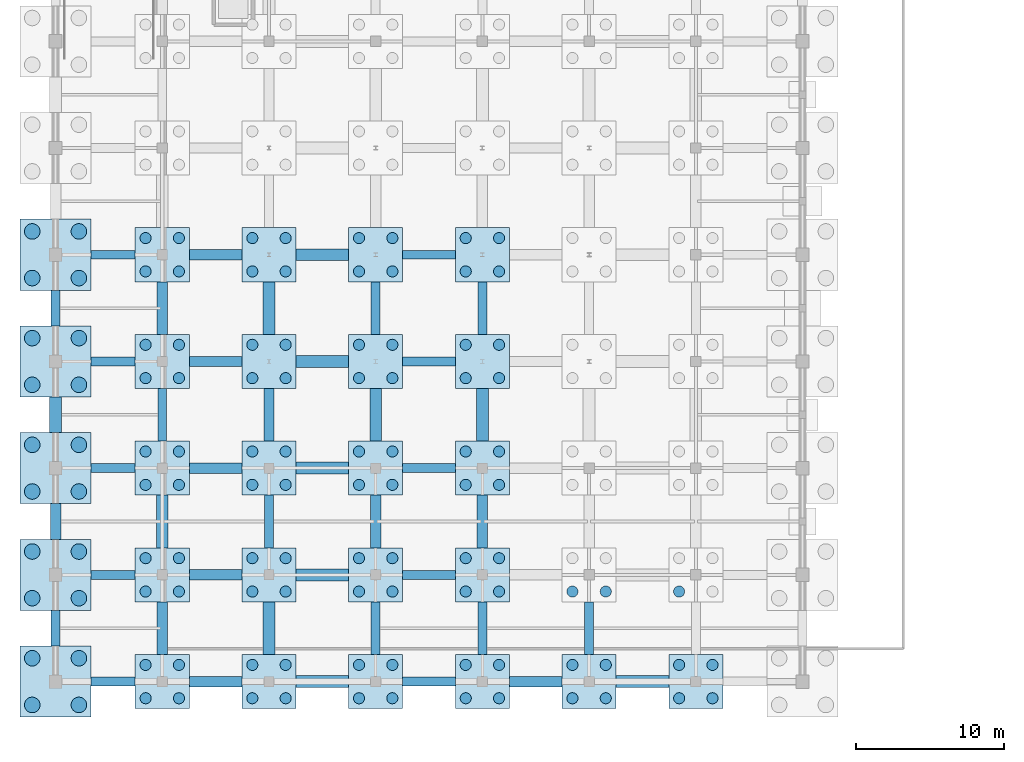
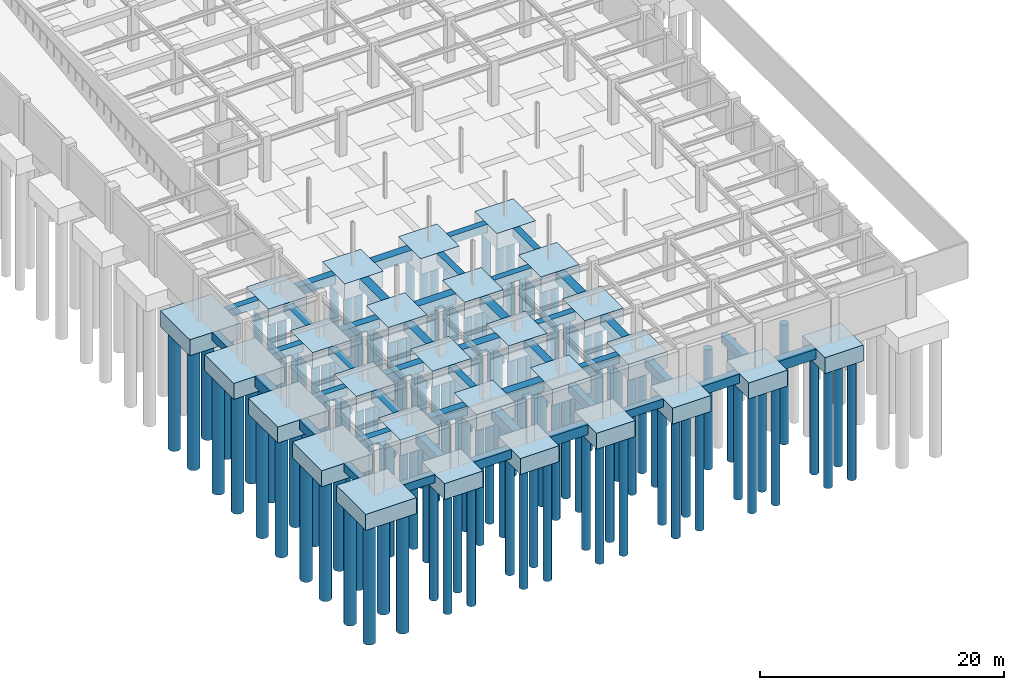
# One storey, part 1 of 48: 111 piles, 70 footings.
"""IFC4 building model written with IfcOpenShell, lengths in metres."""

import ifcopenshell
import ifcopenshell.guid

model = None  # the IFC model being written
_history = None  # IfcOwnerHistory: only IFC2X3 demands one
_inside = {}  # id of a spatial element -> (the spatial element, [elements in it])
_under = {}  # id of a project, library or spatial element -> (it, [spatial elements below it])
_declared = {}  # id of a project -> (the project, [libraries it declares])
_typed = {}  # id of a type object -> (the type object, [elements of that type])
_made_of = {}  # id of a material, layer set ... -> (it, [elements and type objects made of it])


def new_model(schema):
    """Start an empty IFC model of exactly this schema.

    Asked for "IFC4X3", IfcOpenShell would pick the latest addendum, in which some entities
    have other attributes; the version numbers below select the first issue.
    IFC2X3 requires an IfcOwnerHistory on every rooted entity: one is made here for all.
    """
    global model, _history
    if schema == "IFC4X3":
        model = ifcopenshell.file(schema_version=(4, 3, 0, 0))
    else:
        model = ifcopenshell.file(schema=schema)
    _inside.clear()
    _under.clear()
    _declared.clear()
    _typed.clear()
    _made_of.clear()
    _history = None
    if model.schema == "IFC2X3":
        org = make("IfcOrganization", Name="unknown")
        user = make(
            "IfcPersonAndOrganization",
            ThePerson=make("IfcPerson", FamilyName="unknown"),
            TheOrganization=org,
        )
        app = make(
            "IfcApplication",
            ApplicationDeveloper=org,
            Version="unknown",
            ApplicationFullName="unknown",
            ApplicationIdentifier="unknown",
        )
        _history = make(
            "IfcOwnerHistory",
            OwningUser=user,
            OwningApplication=app,
            ChangeAction="ADDED",
            CreationDate=0,
        )
    return model


def make(cls, **values):
    """One entity of the class cls with the attributes given. An attribute that is None is left unset."""
    return model.create_entity(
        cls, **{name: value for name, value in values.items() if value is not None}
    )


def rooted(cls, **values):
    """An entity with a GlobalId (a new one), such as an element, a storey or a relation."""
    return make(cls, GlobalId=ifcopenshell.guid.new(), OwnerHistory=_history, **values)


def si_unit(unit_type, name, prefix=None):
    """IfcSIUnit, for example si_unit("LENGTHUNIT", "METRE", prefix="MILLI")."""
    return make("IfcSIUnit", UnitType=unit_type, Prefix=prefix, Name=name)


def assignment(units):
    """IfcUnitAssignment: the units of a project."""
    return None if units is None else make("IfcUnitAssignment", Units=units)


def point(xyz):
    """IfcCartesianPoint."""
    return None if xyz is None else make("IfcCartesianPoint", Coordinates=xyz)


def direction(xyz):
    """IfcDirection."""
    return None if xyz is None else make("IfcDirection", DirectionRatios=xyz)


def frame(location, z_axis=None, x_axis=None):
    """IfcAxis2Placement3D, a coordinate frame: its origin and axes. An axis left out is left unset."""
    return make(
        "IfcAxis2Placement3D",
        Location=point(location),
        Axis=direction(z_axis),
        RefDirection=direction(x_axis),
    )


def frame_2d(location, x_axis=None):
    """IfcAxis2Placement2D, a coordinate frame in the plane: its origin and x axis."""
    return make(
        "IfcAxis2Placement2D", Location=point(location), RefDirection=direction(x_axis)
    )


def origin():
    """The frame at (0, 0, 0) with its axes left unset."""
    return frame((0.0, 0.0, 0.0))


def origin_2d():
    """The frame at (0, 0) in the plane with its x axis left unset."""
    return frame_2d((0.0, 0.0))


def place(relative_to, where):
    """IfcLocalPlacement: puts the frame where relative to a parent placement (None: the world)."""
    return make(
        "IfcLocalPlacement", PlacementRelTo=relative_to, RelativePlacement=where
    )


def context(
    kind, dimensions, precision=None, world=None, true_north=None, identifier=None
):
    """IfcGeometricRepresentationContext, for example the 3D "Model" context."""
    return make(
        "IfcGeometricRepresentationContext",
        ContextIdentifier=identifier,
        ContextType=kind,
        CoordinateSpaceDimension=dimensions,
        Precision=precision,
        WorldCoordinateSystem=world,
        TrueNorth=true_north,
    )


def subcontext(parent, identifier, kind, view, scale=None):
    """IfcGeometricRepresentationSubContext, for example "Body" below "Model"."""
    return make(
        "IfcGeometricRepresentationSubContext",
        ContextIdentifier=identifier,
        ContextType=kind,
        ParentContext=parent,
        TargetScale=scale,
        TargetView=view,
    )


def project(units=None, contexts=None):
    """IfcProject with its units and contexts."""
    return rooted(
        "IfcProject",
        Name="project",
        RepresentationContexts=contexts,
        UnitsInContext=assignment(units),
    )


def spatial(cls, under=None, at=None, **own):
    """A site, building, storey or space (cls), placed at a placement, below another one or the project."""
    s = rooted(cls, ObjectPlacement=at, **own)
    if under is not None:
        _under.setdefault(under.id(), (under, []))[1].append(s)
    return s


def profile(cls, at=None, kind="AREA", **sizes):
    """A parametric profile (cls). Its sizes go by their IFC names, for example OverallWidth=200.0."""
    return make(cls, ProfileType=kind, Position=at, **sizes)


def rectangle(**sizes):
    """IfcRectangleProfileDef."""
    return profile("IfcRectangleProfileDef", **sizes)


def circle(**sizes):
    """IfcCircleProfileDef."""
    return profile("IfcCircleProfileDef", **sizes)


def extrude(swept, where, along, depth):
    """IfcExtrudedAreaSolid: the profile swept, set in the frame where, extruded along a direction by depth."""
    return make(
        "IfcExtrudedAreaSolid",
        SweptArea=swept,
        Position=where,
        ExtrudedDirection=direction(along),
        Depth=depth,
    )


def shape(context_of_items, identifier, shape_type, items):
    """IfcShapeRepresentation: the items that make up one representation, for example the "Body"."""
    return make(
        "IfcShapeRepresentation",
        ContextOfItems=context_of_items,
        RepresentationIdentifier=identifier,
        RepresentationType=shape_type,
        Items=items,
    )


def material(Name=None, Category=None):
    """IfcMaterial."""
    return make("IfcMaterial", Name=Name, Category=Category)


def material_profile(
    of_material, cross_section, Name=None, Category=None, Priority=None
):
    """IfcMaterialProfile: a cross section and its material."""
    return make(
        "IfcMaterialProfile",
        Name=Name,
        Material=of_material,
        Profile=cross_section,
        Priority=Priority,
        Category=Category,
    )


def profile_set(profiles, Name=None, composite=None):
    """IfcMaterialProfileSet."""
    return make(
        "IfcMaterialProfileSet",
        Name=Name,
        MaterialProfiles=profiles,
        CompositeProfile=composite,
    )


def made_of(thing, what):
    """Note that an element or type object is made of a material, layer set ...; save() writes the relation."""
    if what is not None:
        _made_of.setdefault(what.id(), (what, []))[1].append(thing)
    return thing


def type_object(cls, material=None, **own):
    """A type object (cls), such as IfcWallType, which elements share."""
    return made_of(rooted(cls, **own), material)


def element(
    cls,
    number,
    at=None,
    inside=None,
    cuts=None,
    type_object=None,
    material=None,
    context=None,
    identifier="Body",
    shape_type=None,
    held_by="IfcProductDefinitionShape",
    body=None,
    shapes=None,
    **own,
):
    """One element of the class cls, such as IfcWall. Its Tag is "e" and its number.

    at: its placement. inside: the storey or other place that contains it. cuts: it is an
    opening in that element (IfcRelVoidsElement). A single representation is given by context,
    identifier, shape_type and body (its items); several are given by shapes. held_by: the class
    of the entity that holds the representations. save() writes the other relations.
    """
    e = rooted(cls, Tag="e%d" % number, ObjectPlacement=at, **own)
    if body is not None:
        shapes = [shape(context, identifier, shape_type, body)]
    if shapes is not None:
        e.Representation = make(held_by, Representations=shapes)
    if inside is not None:
        _inside.setdefault(inside.id(), (inside, []))[1].append(e)
    if cuts is not None:
        rooted(
            "IfcRelVoidsElement", RelatingBuildingElement=cuts, RelatedOpeningElement=e
        )
    if type_object is not None:
        _typed.setdefault(type_object.id(), (type_object, []))[1].append(e)
    return made_of(e, material)


def aggregate(whole, parts):
    """IfcRelAggregates: a whole, such as a stair, and the parts it consists of."""
    return rooted("IfcRelAggregates", RelatingObject=whole, RelatedObjects=parts)


def save(model, path):
    """Write the relations noted so far, then the file.

    IfcRelAggregates (storeys below a building ...), IfcRelContainedInSpatialStructure (elements
    in a storey), IfcRelDefinesByType, IfcRelAssociatesMaterial and IfcRelDeclares: one each for
    every whole, place, type object, material and project.
    """
    for whole, parts in _under.values():
        aggregate(whole, parts)
    for where, things in _inside.values():
        rooted(
            "IfcRelContainedInSpatialStructure",
            RelatedElements=things,
            RelatingStructure=where,
        )
    for kind, things in _typed.values():
        rooted("IfcRelDefinesByType", RelatedObjects=things, RelatingType=kind)
    for what, things in _made_of.values():
        rooted("IfcRelAssociatesMaterial", RelatedObjects=things, RelatingMaterial=what)
    for by, libraries in _declared.values():
        rooted("IfcRelDeclares", RelatingContext=by, RelatedDefinitions=libraries)
    model.write(path)


model = new_model("IFC4")

# Units and contexts
model_context = context("Model", 3, precision=1e-05, world=origin(), true_north=direction((0.0, 1.0)))
body_context = subcontext(model_context, "Body", "Model", "MODEL_VIEW")
ifc_project = project(units=[si_unit("LENGTHUNIT", "METRE"), si_unit("AREAUNIT", "SQUARE_METRE"), si_unit("VOLUMEUNIT", "CUBIC_METRE"), si_unit("PLANEANGLEUNIT", "RADIAN"), si_unit("MASSUNIT", "GRAM", prefix="KILO")], contexts=[model_context])

# Site, building, storey
site_placement = place(None, origin())
site = spatial("IfcSite", under=ifc_project, at=site_placement, CompositionType="ELEMENT")
building_placement = place(site_placement, origin())
building = spatial("IfcBuilding", under=site, at=building_placement, Name="Carrowvane Square Congress Hotel", CompositionType="ELEMENT")
storey_placement = place(building_placement, frame((0.0, 0.0, -4.5)))
storey = spatial("IfcBuildingStorey", under=building, at=storey_placement, Name="B01", CompositionType="ELEMENT", Elevation=-4.5)

# Footings
ifc_material_1 = material(Name="Concrete C35/45", Category="concrete")
ifc_material_profile_1 = material_profile(ifc_material_1, rectangle(XDim=0.60009765625, YDim=0.800048828125, at=origin_2d()), Name="RC 600x800")
ifc_profile_set_1 = profile_set([ifc_material_profile_1], Name="Concrete C35/45")
footing_type_1 = type_object("IfcFootingType", Name="FTG-BM-600x800", PredefinedType="FOOTING_BEAM", material=ifc_profile_set_1)
footing_1_placement = place(storey_placement, frame((11.60009765625, 7.800048828125, -0.39990234375), z_axis=(0.0, 1.0, 0.0), x_axis=(-1.0, 0.0, 0.0)))
element("IfcFooting", 1, at=footing_1_placement, inside=storey, type_object=footing_type_1, Name="Ground tie beam 1", PredefinedType="FOOTING_BEAM", context=body_context, shape_type="SweptSolid", body=[
    extrude(rectangle(XDim=0.60009765625, YDim=0.800048828125, at=origin_2d()), origin(), (0.0, 0.0, 1.0), 2.39990234375),
])
footing_2_placement = place(storey_placement, frame((11.60009765625, 29.39990234375, -0.39990234375), z_axis=(0.0, 1.0, 0.0), x_axis=(-1.0, 0.0, 0.0)))
element("IfcFooting", 2, at=footing_2_placement, inside=storey, type_object=footing_type_1, Name="Ground tie beam 4", PredefinedType="FOOTING_BEAM", context=body_context, shape_type="SweptSolid", body=[
    extrude(rectangle(XDim=0.60009765625, YDim=0.800048828125, at=origin_2d()), origin(), (0.0, 0.0, 1.0), 2.400146484375),
])
for number, where, z_axis, x_axis, name in (
    (3, (18.800048828125, 21.625, -0.39990234375), (0.0, 1.0, 0.0), (-1.0, 0.0, 0.0), "Ground tie beam 15"),
    (4, (26.0, 14.425048828125, -0.39990234375), (0.0, 1.0, 0.0), (-1.0, 0.0, 0.0), "Ground tie beam 26"),
):
    element("IfcFooting", number, at=place(storey_placement, frame(where, z_axis=z_axis, x_axis=x_axis)), inside=storey, type_object=footing_type_1, Name=name, PredefinedType="FOOTING_BEAM", context=body_context, shape_type="SweptSolid", body=[
        extrude(rectangle(XDim=0.60009765625, YDim=0.800048828125, at=origin_2d()), origin(), (0.0, 0.0, 1.0), 3.550048828125),
    ])
footing_3_placement = place(storey_placement, frame((33.199951171875, 7.22509765625, -0.39990234375), z_axis=(0.0, 1.0, 0.0), x_axis=(-1.0, 0.0, 0.0)))
element("IfcFooting", 5, at=footing_3_placement, inside=storey, type_object=footing_type_1, Name="Ground tie beam 37", PredefinedType="FOOTING_BEAM", context=body_context, shape_type="SweptSolid", body=[
    extrude(rectangle(XDim=0.60009765625, YDim=0.800048828125, at=origin_2d()), origin(), (0.0, 0.0, 1.0), 3.5498046875),
])
footing_4_placement = place(storey_placement, frame((33.199951171875, 28.824951171875, -0.39990234375), z_axis=(0.0, 1.0, 0.0), x_axis=(-1.0, 0.0, 0.0)))
element("IfcFooting", 6, at=footing_4_placement, inside=storey, type_object=footing_type_1, Name="Ground tie beam 40", PredefinedType="FOOTING_BEAM", context=body_context, shape_type="SweptSolid", body=[
    extrude(rectangle(XDim=0.60009765625, YDim=0.800048828125, at=origin_2d()), origin(), (0.0, 0.0, 1.0), 3.550048828125),
])
footing_5_placement = place(storey_placement, frame((40.39990234375, 7.22509765625, -0.39990234375), z_axis=(0.0, 1.0, 0.0), x_axis=(-1.0, 0.0, 0.0)))
element("IfcFooting", 7, at=footing_5_placement, inside=storey, type_object=footing_type_1, Name="Ground tie beam 51", PredefinedType="FOOTING_BEAM", context=body_context, shape_type="SweptSolid", body=[
    extrude(rectangle(XDim=0.60009765625, YDim=0.800048828125, at=origin_2d()), origin(), (0.0, 0.0, 1.0), 3.5498046875),
])
footing_6_placement = place(storey_placement, frame((40.39990234375, 28.824951171875, -0.39990234375), z_axis=(0.0, 1.0, 0.0), x_axis=(-1.0, 0.0, 0.0)))
element("IfcFooting", 8, at=footing_6_placement, inside=storey, type_object=footing_type_1, Name="Ground tie beam 54", PredefinedType="FOOTING_BEAM", context=body_context, shape_type="SweptSolid", body=[
    extrude(rectangle(XDim=0.60009765625, YDim=0.800048828125, at=origin_2d()), origin(), (0.0, 0.0, 1.0), 3.550048828125),
])
footing_7_placement = place(storey_placement, frame((47.60009765625, 7.22509765625, -0.39990234375), z_axis=(0.0, 1.0, 0.0), x_axis=(-1.0, 0.0, 0.0)))
element("IfcFooting", 9, at=footing_7_placement, inside=storey, type_object=footing_type_1, Name="Ground tie beam 65", PredefinedType="FOOTING_BEAM", context=body_context, shape_type="SweptSolid", body=[
    extrude(rectangle(XDim=0.60009765625, YDim=0.800048828125, at=origin_2d()), origin(), (0.0, 0.0, 1.0), 3.5498046875),
])
footing_8_placement = place(storey_placement, frame((14.0, 5.39990234375, -0.39990234375), z_axis=(1.0, 0.0, 0.0), x_axis=(0.0, 1.0, 0.0)))
element("IfcFooting", 10, at=footing_8_placement, inside=storey, type_object=footing_type_1, Name="Ground tie beam 244", PredefinedType="FOOTING_BEAM", context=body_context, shape_type="SweptSolid", body=[
    extrude(rectangle(XDim=0.60009765625, YDim=0.800048828125, at=origin_2d()), origin(), (0.0, 0.0, 1.0), 2.97509765625),
])
footing_9_placement = place(storey_placement, frame((35.02490234375, 5.39990234375, -0.39990234375), z_axis=(1.0, 0.0, 0.0), x_axis=(0.0, 1.0, 0.0)))
element("IfcFooting", 11, at=footing_9_placement, inside=storey, type_object=footing_type_1, Name="Ground tie beam 247", PredefinedType="FOOTING_BEAM", context=body_context, shape_type="SweptSolid", body=[
    extrude(rectangle(XDim=0.60009765625, YDim=0.800048828125, at=origin_2d()), origin(), (0.0, 0.0, 1.0), 3.550048828125),
])
footing_10_placement = place(storey_placement, frame((14.0, 12.60009765625, -0.39990234375), z_axis=(1.0, 0.0, 0.0), x_axis=(0.0, 1.0, 0.0)))
element("IfcFooting", 12, at=footing_10_placement, inside=storey, type_object=footing_type_1, Name="Ground tie beam 258", PredefinedType="FOOTING_BEAM", context=body_context, shape_type="SweptSolid", body=[
    extrude(rectangle(XDim=0.60009765625, YDim=0.800048828125, at=origin_2d()), origin(), (0.0, 0.0, 1.0), 2.97509765625),
])
footing_11_placement = place(storey_placement, frame((35.02490234375, 12.60009765625, -0.39990234375), z_axis=(1.0, 0.0, 0.0), x_axis=(0.0, 1.0, 0.0)))
element("IfcFooting", 13, at=footing_11_placement, inside=storey, type_object=footing_type_1, Name="Ground tie beam 261", PredefinedType="FOOTING_BEAM", context=body_context, shape_type="SweptSolid", body=[
    extrude(rectangle(XDim=0.60009765625, YDim=0.800048828125, at=origin_2d()), origin(), (0.0, 0.0, 1.0), 3.550048828125),
])
footing_12_placement = place(storey_placement, frame((14.0, 19.800048828125, -0.39990234375), z_axis=(1.0, 0.0, 0.0), x_axis=(0.0, 1.0, 0.0)))
element("IfcFooting", 14, at=footing_12_placement, inside=storey, type_object=footing_type_1, Name="Ground tie beam 272", PredefinedType="FOOTING_BEAM", context=body_context, shape_type="SweptSolid", body=[
    extrude(rectangle(XDim=0.60009765625, YDim=0.800048828125, at=origin_2d()), origin(), (0.0, 0.0, 1.0), 2.97509765625),
])
footing_13_placement = place(storey_placement, frame((35.02490234375, 19.800048828125, -0.39990234375), z_axis=(1.0, 0.0, 0.0), x_axis=(0.0, 1.0, 0.0)))
element("IfcFooting", 15, at=footing_13_placement, inside=storey, type_object=footing_type_1, Name="Ground tie beam 275", PredefinedType="FOOTING_BEAM", context=body_context, shape_type="SweptSolid", body=[
    extrude(rectangle(XDim=0.60009765625, YDim=0.800048828125, at=origin_2d()), origin(), (0.0, 0.0, 1.0), 3.550048828125),
])
footing_14_placement = place(storey_placement, frame((14.0, 27.0, -0.39990234375), z_axis=(1.0, 0.0, 0.0), x_axis=(0.0, 1.0, 0.0)))
element("IfcFooting", 16, at=footing_14_placement, inside=storey, type_object=footing_type_1, Name="Ground tie beam 286", PredefinedType="FOOTING_BEAM", context=body_context, shape_type="SweptSolid", body=[
    extrude(rectangle(XDim=0.60009765625, YDim=0.800048828125, at=origin_2d()), origin(), (0.0, 0.0, 1.0), 2.97509765625),
])
footing_15_placement = place(storey_placement, frame((35.02490234375, 27.0, -0.39990234375), z_axis=(1.0, 0.0, 0.0), x_axis=(0.0, 1.0, 0.0)))
element("IfcFooting", 17, at=footing_15_placement, inside=storey, type_object=footing_type_1, Name="Ground tie beam 289", PredefinedType="FOOTING_BEAM", context=body_context, shape_type="SweptSolid", body=[
    extrude(rectangle(XDim=0.60009765625, YDim=0.800048828125, at=origin_2d()), origin(), (0.0, 0.0, 1.0), 3.550048828125),
])
footing_16_placement = place(storey_placement, frame((14.0, 34.199951171875, -0.39990234375), z_axis=(1.0, 0.0, 0.0), x_axis=(0.0, 1.0, 0.0)))
element("IfcFooting", 18, at=footing_16_placement, inside=storey, type_object=footing_type_1, Name="Ground tie beam 300", PredefinedType="FOOTING_BEAM", context=body_context, shape_type="SweptSolid", body=[
    extrude(rectangle(XDim=0.60009765625, YDim=0.800048828125, at=origin_2d()), origin(), (0.0, 0.0, 1.0), 2.97509765625),
])
footing_17_placement = place(storey_placement, frame((35.02490234375, 34.199951171875, -0.39990234375), z_axis=(1.0, 0.0, 0.0), x_axis=(0.0, 1.0, 0.0)))
element("IfcFooting", 19, at=footing_17_placement, inside=storey, type_object=footing_type_1, Name="Ground tie beam 303", PredefinedType="FOOTING_BEAM", context=body_context, shape_type="SweptSolid", body=[
    extrude(rectangle(XDim=0.60009765625, YDim=0.800048828125, at=origin_2d()), origin(), (0.0, 0.0, 1.0), 3.550048828125),
])
ifc_material_2 = material(Name="Concrete C35/45", Category="concrete")
ifc_material_profile_2 = material_profile(ifc_material_2, rectangle(XDim=0.699951171875, YDim=0.89990234375, at=origin_2d()), Name="RC 700x900")
ifc_profile_set_2 = profile_set([ifc_material_profile_2], Name="Concrete C35/45")
footing_type_2 = type_object("IfcFootingType", Name="FTG-BM-700x900", PredefinedType="FOOTING_BEAM", material=ifc_profile_set_2)
footing_18_placement = place(storey_placement, frame((11.60009765625, 15.0, -0.449951171875), z_axis=(0.0, 1.0, 0.0), x_axis=(-1.0, 0.0, 0.0)))
element("IfcFooting", 20, at=footing_18_placement, inside=storey, type_object=footing_type_2, Name="Ground tie beam 2", PredefinedType="FOOTING_BEAM", context=body_context, shape_type="SweptSolid", body=[
    extrude(rectangle(XDim=0.699951171875, YDim=0.89990234375, at=origin_2d()), origin(), (0.0, 0.0, 1.0), 2.39990234375),
])
footing_19_placement = place(storey_placement, frame((18.800048828125, 7.22509765625, -0.449951171875), z_axis=(0.0, 1.0, 0.0), x_axis=(-1.0, 0.0, 0.0)))
element("IfcFooting", 21, at=footing_19_placement, inside=storey, type_object=footing_type_2, Name="Ground tie beam 13", PredefinedType="FOOTING_BEAM", context=body_context, shape_type="SweptSolid", body=[
    extrude(rectangle(XDim=0.699951171875, YDim=0.89990234375, at=origin_2d()), origin(), (0.0, 0.0, 1.0), 3.5498046875),
])
for number, where, z_axis, x_axis, name in (
    (22, (18.800048828125, 28.824951171875, -0.449951171875), (0.0, 1.0, 0.0), (-1.0, 0.0, 0.0), "Ground tie beam 16"),
    (23, (26.0, 21.625, -0.449951171875), (0.0, 1.0, 0.0), (-1.0, 0.0, 0.0), "Ground tie beam 27"),
    (24, (33.199951171875, 14.425048828125, -0.449951171875), (0.0, 1.0, 0.0), (-1.0, 0.0, 0.0), "Ground tie beam 38"),
    (25, (40.39990234375, 14.425048828125, -0.449951171875), (0.0, 1.0, 0.0), (-1.0, 0.0, 0.0), "Ground tie beam 52"),
    (26, (20.625, 5.39990234375, -0.449951171875), (1.0, 0.0, 0.0), (0.0, 1.0, 0.0), "Ground tie beam 245"),
):
    element("IfcFooting", number, at=place(storey_placement, frame(where, z_axis=z_axis, x_axis=x_axis)), inside=storey, type_object=footing_type_2, Name=name, PredefinedType="FOOTING_BEAM", context=body_context, shape_type="SweptSolid", body=[
        extrude(rectangle(XDim=0.699951171875, YDim=0.89990234375, at=origin_2d()), origin(), (0.0, 0.0, 1.0), 3.550048828125),
    ])
footing_20_placement = place(storey_placement, frame((42.22509765625, 5.39990234375, -0.449951171875), z_axis=(1.0, 0.0, 0.0), x_axis=(0.0, 1.0, 0.0)))
element("IfcFooting", 27, at=footing_20_placement, inside=storey, type_object=footing_type_2, Name="Ground tie beam 248", PredefinedType="FOOTING_BEAM", context=body_context, shape_type="SweptSolid", body=[
    extrude(rectangle(XDim=0.699951171875, YDim=0.89990234375, at=origin_2d()), origin(), (0.0, 0.0, 1.0), 3.5498046875),
])
for number, where, z_axis, x_axis, name in (
    (28, (20.625, 12.60009765625, -0.449951171875), (1.0, 0.0, 0.0), (0.0, 1.0, 0.0), "Ground tie beam 259"),
    (29, (20.625, 19.800048828125, -0.449951171875), (1.0, 0.0, 0.0), (0.0, 1.0, 0.0), "Ground tie beam 273"),
    (30, (20.625, 27.0, -0.449951171875), (1.0, 0.0, 0.0), (0.0, 1.0, 0.0), "Ground tie beam 287"),
    (31, (20.625, 34.199951171875, -0.449951171875), (1.0, 0.0, 0.0), (0.0, 1.0, 0.0), "Ground tie beam 301"),
):
    element("IfcFooting", number, at=place(storey_placement, frame(where, z_axis=z_axis, x_axis=x_axis)), inside=storey, type_object=footing_type_2, Name=name, PredefinedType="FOOTING_BEAM", context=body_context, shape_type="SweptSolid", body=[
        extrude(rectangle(XDim=0.699951171875, YDim=0.89990234375, at=origin_2d()), origin(), (0.0, 0.0, 1.0), 3.550048828125),
    ])
ifc_material_3 = material(Name="Concrete C35/45", Category="concrete")
ifc_material_profile_3 = material_profile(ifc_material_3, rectangle(XDim=0.800048828125, YDim=1.0, at=origin_2d()), Name="RC 800x1000")
ifc_profile_set_3 = profile_set([ifc_material_profile_3], Name="Concrete C35/45")
footing_type_3 = type_object("IfcFootingType", Name="FTG-BM-800x1000", PredefinedType="FOOTING_BEAM", material=ifc_profile_set_3)
footing_21_placement = place(storey_placement, frame((11.60009765625, 22.199951171875, -0.5), z_axis=(0.0, 1.0, 0.0), x_axis=(-1.0, 0.0, 0.0)))
element("IfcFooting", 32, at=footing_21_placement, inside=storey, type_object=footing_type_3, Name="Ground tie beam 3", PredefinedType="FOOTING_BEAM", context=body_context, shape_type="SweptSolid", body=[
    extrude(rectangle(XDim=0.800048828125, YDim=1.0, at=origin_2d()), origin(), (0.0, 0.0, 1.0), 2.400146484375),
])
footing_22_placement = place(storey_placement, frame((18.800048828125, 14.425048828125, -0.5), z_axis=(0.0, 1.0, 0.0), x_axis=(-1.0, 0.0, 0.0)))
element("IfcFooting", 33, at=footing_22_placement, inside=storey, type_object=footing_type_3, Name="Ground tie beam 14", PredefinedType="FOOTING_BEAM", context=body_context, shape_type="SweptSolid", body=[
    extrude(rectangle(XDim=0.800048828125, YDim=1.0, at=origin_2d()), origin(), (0.0, 0.0, 1.0), 3.550048828125),
])
footing_23_placement = place(storey_placement, frame((26.0, 7.22509765625, -0.5), z_axis=(0.0, 1.0, 0.0), x_axis=(-1.0, 0.0, 0.0)))
element("IfcFooting", 34, at=footing_23_placement, inside=storey, type_object=footing_type_3, Name="Ground tie beam 25", PredefinedType="FOOTING_BEAM", context=body_context, shape_type="SweptSolid", body=[
    extrude(rectangle(XDim=0.800048828125, YDim=1.0, at=origin_2d()), origin(), (0.0, 0.0, 1.0), 3.5498046875),
])
for number, where, z_axis, x_axis, name in (
    (35, (26.0, 28.824951171875, -0.5), (0.0, 1.0, 0.0), (-1.0, 0.0, 0.0), "Ground tie beam 28"),
    (36, (33.199951171875, 21.625, -0.5), (0.0, 1.0, 0.0), (-1.0, 0.0, 0.0), "Ground tie beam 39"),
    (37, (40.39990234375, 21.625, -0.5), (0.0, 1.0, 0.0), (-1.0, 0.0, 0.0), "Ground tie beam 53"),
    (38, (27.824951171875, 5.39990234375, -0.5), (1.0, 0.0, 0.0), (0.0, 1.0, 0.0), "Ground tie beam 246"),
    (39, (49.425048828125, 5.39990234375, -0.5), (1.0, 0.0, 0.0), (0.0, 1.0, 0.0), "Ground tie beam 249"),
    (40, (27.824951171875, 12.60009765625, -0.5), (1.0, 0.0, 0.0), (0.0, 1.0, 0.0), "Ground tie beam 260"),
    (41, (27.824951171875, 19.800048828125, -0.5), (1.0, 0.0, 0.0), (0.0, 1.0, 0.0), "Ground tie beam 274"),
    (42, (27.824951171875, 27.0, -0.5), (1.0, 0.0, 0.0), (0.0, 1.0, 0.0), "Ground tie beam 288"),
    (43, (27.824951171875, 34.199951171875, -0.5), (1.0, 0.0, 0.0), (0.0, 1.0, 0.0), "Ground tie beam 302"),
):
    element("IfcFooting", number, at=place(storey_placement, frame(where, z_axis=z_axis, x_axis=x_axis)), inside=storey, type_object=footing_type_3, Name=name, PredefinedType="FOOTING_BEAM", context=body_context, shape_type="SweptSolid", body=[
        extrude(rectangle(XDim=0.800048828125, YDim=1.0, at=origin_2d()), origin(), (0.0, 0.0, 1.0), 3.550048828125),
    ])
ifc_material_4 = material(Name="Concrete C35/45", Category="concrete")
footing_type_4 = type_object("IfcFootingType", Name="FTG-PC-01", PredefinedType="PILE_CAP", material=ifc_material_4)
for number, where, z_axis, x_axis, name in (
    (44, (11.60009765625, 5.39990234375, -1.60009765625), (0.0, 0.0, 1.0), (1.0, 0.0, 0.0), "B01 PC-1 1"),
    (45, (11.60009765625, 12.60009765625, -1.60009765625), (0.0, 0.0, 1.0), (1.0, 0.0, 0.0), "B01 PC-1 17"),
    (46, (11.60009765625, 19.800048828125, -1.60009765625), (0.0, 0.0, 1.0), (1.0, 0.0, 0.0), "B01 PC-1 33"),
    (47, (11.60009765625, 27.0, -1.60009765625), (0.0, 0.0, 1.0), (1.0, 0.0, 0.0), "B01 PC-1 49"),
    (48, (11.60009765625, 34.199951171875, -1.60009765625), (0.0, 0.0, 1.0), (1.0, 0.0, 0.0), "B01 PC-1 65"),
):
    element("IfcFooting", number, at=place(storey_placement, frame(where, z_axis=z_axis, x_axis=x_axis)), inside=storey, type_object=footing_type_4, Name=name, PredefinedType="PILE_CAP", context=body_context, shape_type="SweptSolid", body=[
        extrude(rectangle(XDim=4.800048828125, YDim=4.800048828125, at=origin_2d()), origin(), (0.0, 0.0, 1.0), 1.60009765625),
    ])
ifc_material_5 = material(Name="Concrete C35/45", Category="concrete")
footing_type_5 = type_object("IfcFootingType", Name="FTG-PC-02", PredefinedType="PILE_CAP", material=ifc_material_5)
for number, where, z_axis, x_axis, name in (
    (49, (18.800048828125, 5.39990234375, -1.60009765625), (0.0, 0.0, 1.0), (1.0, 0.0, 0.0), "B01 PC-2 3"),
    (50, (26.0, 5.39990234375, -1.60009765625), (0.0, 0.0, 1.0), (1.0, 0.0, 0.0), "B01 PC-2 4"),
    (51, (33.199951171875, 5.39990234375, -1.60009765625), (0.0, 0.0, 1.0), (1.0, 0.0, 0.0), "B01 PC-2 5"),
    (52, (40.39990234375, 5.39990234375, -1.60009765625), (0.0, 0.0, 1.0), (1.0, 0.0, 0.0), "B01 PC-2 6"),
    (53, (47.60009765625, 5.39990234375, -1.60009765625), (0.0, 0.0, 1.0), (1.0, 0.0, 0.0), "B01 PC-2 7"),
    (54, (54.800048828125, 5.39990234375, -1.60009765625), (0.0, 0.0, 1.0), (1.0, 0.0, 0.0), "B01 PC-2 8"),
    (55, (18.800048828125, 12.60009765625, -1.60009765625), (0.0, 0.0, 1.0), (1.0, 0.0, 0.0), "B01 PC-2 22"),
    (56, (26.0, 12.60009765625, -1.60009765625), (0.0, 0.0, 1.0), (1.0, 0.0, 0.0), "B01 PC-2 23"),
    (57, (33.199951171875, 12.60009765625, -1.60009765625), (0.0, 0.0, 1.0), (1.0, 0.0, 0.0), "B01 PC-2 24"),
    (58, (40.39990234375, 12.60009765625, -1.60009765625), (0.0, 0.0, 1.0), (1.0, 0.0, 0.0), "B01 PC-2 25"),
    (59, (18.800048828125, 19.800048828125, -1.60009765625), (0.0, 0.0, 1.0), (1.0, 0.0, 0.0), "B01 PC-2 38"),
    (60, (26.0, 19.800048828125, -1.60009765625), (0.0, 0.0, 1.0), (1.0, 0.0, 0.0), "B01 PC-2 39"),
    (61, (33.199951171875, 19.800048828125, -1.60009765625), (0.0, 0.0, 1.0), (1.0, 0.0, 0.0), "B01 PC-2 40"),
    (62, (40.39990234375, 19.800048828125, -1.60009765625), (0.0, 0.0, 1.0), (1.0, 0.0, 0.0), "B01 PC-2 41"),
    (63, (18.800048828125, 27.0, -1.60009765625), (0.0, 0.0, 1.0), (1.0, 0.0, 0.0), "B01 PC-2 54"),
    (64, (26.0, 27.0, -1.60009765625), (0.0, 0.0, 1.0), (1.0, 0.0, 0.0), "B01 PC-2 55"),
    (65, (33.199951171875, 27.0, -1.60009765625), (0.0, 0.0, 1.0), (1.0, 0.0, 0.0), "B01 PC-2 56"),
    (66, (40.39990234375, 27.0, -1.60009765625), (0.0, 0.0, 1.0), (1.0, 0.0, 0.0), "B01 PC-2 57"),
    (67, (18.800048828125, 34.199951171875, -1.60009765625), (0.0, 0.0, 1.0), (1.0, 0.0, 0.0), "B01 PC-2 70"),
    (68, (26.0, 34.199951171875, -1.60009765625), (0.0, 0.0, 1.0), (1.0, 0.0, 0.0), "B01 PC-2 71"),
    (69, (33.199951171875, 34.199951171875, -1.60009765625), (0.0, 0.0, 1.0), (1.0, 0.0, 0.0), "B01 PC-2 72"),
    (70, (40.39990234375, 34.199951171875, -1.60009765625), (0.0, 0.0, 1.0), (1.0, 0.0, 0.0), "B01 PC-2 73"),
):
    element("IfcFooting", number, at=place(storey_placement, frame(where, z_axis=z_axis, x_axis=x_axis)), inside=storey, type_object=footing_type_5, Name=name, PredefinedType="PILE_CAP", context=body_context, shape_type="SweptSolid", body=[
        extrude(rectangle(XDim=3.64990234375, YDim=3.64990234375, at=origin_2d()), origin(), (0.0, 0.0, 1.0), 1.60009765625),
    ])

# Piles
ifc_material_6 = material(Name="Concrete C35/45", Category="concrete")
ifc_material_profile_4 = material_profile(ifc_material_6, circle(Radius=0.52490234375, at=origin_2d()), Name="PILE D1050")
ifc_profile_set_4 = profile_set([ifc_material_profile_4], Name="Concrete C35/45")
pile_type_1 = type_object("IfcPileType", Name="PILE-B-1050", PredefinedType="BORED", material=ifc_profile_set_4)
for number, where, z_axis, x_axis, name in (
    (71, (10.02490234375, 3.824951171875, -1.5), (0.0, 0.0, -1.0), (1.0, 0.0, 0.0), "Bored pile P-3-0001"),
    (72, (10.02490234375, 6.97509765625, -1.5), (0.0, 0.0, -1.0), (1.0, 0.0, 0.0), "Bored pile P-3-0002"),
    (73, (13.175048828125, 3.824951171875, -1.5), (0.0, 0.0, -1.0), (1.0, 0.0, 0.0), "Bored pile P-3-0003"),
    (74, (13.175048828125, 6.97509765625, -1.5), (0.0, 0.0, -1.0), (1.0, 0.0, 0.0), "Bored pile P-3-0004"),
    (75, (10.02490234375, 11.02490234375, -1.5), (0.0, 0.0, -1.0), (1.0, 0.0, 0.0), "Bored pile P-3-0065"),
    (76, (10.02490234375, 14.175048828125, -1.5), (0.0, 0.0, -1.0), (1.0, 0.0, 0.0), "Bored pile P-3-0066"),
    (77, (13.175048828125, 11.02490234375, -1.5), (0.0, 0.0, -1.0), (1.0, 0.0, 0.0), "Bored pile P-3-0067"),
    (78, (13.175048828125, 14.175048828125, -1.5), (0.0, 0.0, -1.0), (1.0, 0.0, 0.0), "Bored pile P-3-0068"),
    (79, (10.02490234375, 18.22509765625, -1.5), (0.0, 0.0, -1.0), (1.0, 0.0, 0.0), "Bored pile P-3-0129"),
    (80, (10.02490234375, 21.375, -1.5), (0.0, 0.0, -1.0), (1.0, 0.0, 0.0), "Bored pile P-3-0130"),
    (81, (13.175048828125, 18.22509765625, -1.5), (0.0, 0.0, -1.0), (1.0, 0.0, 0.0), "Bored pile P-3-0131"),
    (82, (13.175048828125, 21.375, -1.5), (0.0, 0.0, -1.0), (1.0, 0.0, 0.0), "Bored pile P-3-0132"),
    (83, (10.02490234375, 25.425048828125, -1.5), (0.0, 0.0, -1.0), (1.0, 0.0, 0.0), "Bored pile P-3-0193"),
    (84, (10.02490234375, 28.574951171875, -1.5), (0.0, 0.0, -1.0), (1.0, 0.0, 0.0), "Bored pile P-3-0194"),
    (85, (13.175048828125, 25.425048828125, -1.5), (0.0, 0.0, -1.0), (1.0, 0.0, 0.0), "Bored pile P-3-0195"),
    (86, (13.175048828125, 28.574951171875, -1.5), (0.0, 0.0, -1.0), (1.0, 0.0, 0.0), "Bored pile P-3-0196"),
    (87, (10.02490234375, 32.625, -1.5), (0.0, 0.0, -1.0), (1.0, 0.0, 0.0), "Bored pile P-3-0257"),
    (88, (10.02490234375, 35.77490234375, -1.5), (0.0, 0.0, -1.0), (1.0, 0.0, 0.0), "Bored pile P-3-0258"),
    (89, (13.175048828125, 32.625, -1.5), (0.0, 0.0, -1.0), (1.0, 0.0, 0.0), "Bored pile P-3-0259"),
    (90, (13.175048828125, 35.77490234375, -1.5), (0.0, 0.0, -1.0), (1.0, 0.0, 0.0), "Bored pile P-3-0260"),
):
    element("IfcPile", number, at=place(storey_placement, frame(where, z_axis=z_axis, x_axis=x_axis)), inside=storey, type_object=pile_type_1, Name=name, PredefinedType="BORED", context=body_context, shape_type="SweptSolid", body=[
        extrude(circle(Radius=0.52490234375, at=origin_2d()), origin(), (0.0, 0.0, 1.0), 12.0),
    ])
ifc_material_7 = material(Name="Concrete C35/45", Category="concrete")
ifc_material_profile_5 = material_profile(ifc_material_7, circle(Radius=0.375, at=origin_2d()), Name="PILE D750")
ifc_profile_set_5 = profile_set([ifc_material_profile_5], Name="Concrete C35/45")
pile_type_2 = type_object("IfcPileType", Name="PILE-B-750", PredefinedType="BORED", material=ifc_profile_set_5)
for number, where, z_axis, x_axis, name in (
    (91, (17.675048828125, 4.27490234375, -1.5), (0.0, 0.0, -1.0), (1.0, 0.0, 0.0), "Bored pile P-1-0009"),
    (92, (17.675048828125, 6.52490234375, -1.5), (0.0, 0.0, -1.0), (1.0, 0.0, 0.0), "Bored pile P-1-0010"),
    (93, (19.925048828125, 4.27490234375, -1.5), (0.0, 0.0, -1.0), (1.0, 0.0, 0.0), "Bored pile P-1-0011"),
    (94, (19.925048828125, 6.52490234375, -1.5), (0.0, 0.0, -1.0), (1.0, 0.0, 0.0), "Bored pile P-1-0012"),
    (95, (24.875, 4.27490234375, -1.5), (0.0, 0.0, -1.0), (1.0, 0.0, 0.0), "Bored pile P-1-0013"),
    (96, (24.875, 6.52490234375, -1.5), (0.0, 0.0, -1.0), (1.0, 0.0, 0.0), "Bored pile P-1-0014"),
    (97, (27.125, 4.27490234375, -1.5), (0.0, 0.0, -1.0), (1.0, 0.0, 0.0), "Bored pile P-1-0015"),
    (98, (27.125, 6.52490234375, -1.5), (0.0, 0.0, -1.0), (1.0, 0.0, 0.0), "Bored pile P-1-0016"),
    (99, (32.074951171875, 4.27490234375, -1.5), (0.0, 0.0, -1.0), (1.0, 0.0, 0.0), "Bored pile P-1-0017"),
    (100, (32.074951171875, 6.52490234375, -1.5), (0.0, 0.0, -1.0), (1.0, 0.0, 0.0), "Bored pile P-1-0018"),
    (101, (34.324951171875, 4.27490234375, -1.5), (0.0, 0.0, -1.0), (1.0, 0.0, 0.0), "Bored pile P-1-0019"),
    (102, (34.324951171875, 6.52490234375, -1.5), (0.0, 0.0, -1.0), (1.0, 0.0, 0.0), "Bored pile P-1-0020"),
    (103, (39.27490234375, 4.27490234375, -1.5), (0.0, 0.0, -1.0), (1.0, 0.0, 0.0), "Bored pile P-1-0021"),
    (104, (39.27490234375, 6.52490234375, -1.5), (0.0, 0.0, -1.0), (1.0, 0.0, 0.0), "Bored pile P-1-0022"),
    (105, (41.52490234375, 4.27490234375, -1.5), (0.0, 0.0, -1.0), (1.0, 0.0, 0.0), "Bored pile P-1-0023"),
    (106, (41.52490234375, 6.52490234375, -1.5), (0.0, 0.0, -1.0), (1.0, 0.0, 0.0), "Bored pile P-1-0024"),
    (107, (46.47509765625, 4.27490234375, -1.5), (0.0, 0.0, -1.0), (1.0, 0.0, 0.0), "Bored pile P-1-0025"),
    (108, (46.47509765625, 6.52490234375, -1.5), (0.0, 0.0, -1.0), (1.0, 0.0, 0.0), "Bored pile P-1-0026"),
    (109, (48.72509765625, 4.27490234375, -1.5), (0.0, 0.0, -1.0), (1.0, 0.0, 0.0), "Bored pile P-1-0027"),
    (110, (48.72509765625, 6.52490234375, -1.5), (0.0, 0.0, -1.0), (1.0, 0.0, 0.0), "Bored pile P-1-0028"),
    (111, (53.675048828125, 4.27490234375, -1.5), (0.0, 0.0, -1.0), (1.0, 0.0, 0.0), "Bored pile P-1-0029"),
    (112, (53.675048828125, 6.52490234375, -1.5), (0.0, 0.0, -1.0), (1.0, 0.0, 0.0), "Bored pile P-1-0030"),
    (113, (55.925048828125, 4.27490234375, -1.5), (0.0, 0.0, -1.0), (1.0, 0.0, 0.0), "Bored pile P-1-0031"),
    (114, (55.925048828125, 6.52490234375, -1.5), (0.0, 0.0, -1.0), (1.0, 0.0, 0.0), "Bored pile P-1-0032"),
    (115, (17.675048828125, 11.47509765625, -1.5), (0.0, 0.0, -1.0), (1.0, 0.0, 0.0), "Bored pile P-1-0085"),
    (116, (17.675048828125, 13.72509765625, -1.5), (0.0, 0.0, -1.0), (1.0, 0.0, 0.0), "Bored pile P-1-0086"),
    (117, (19.925048828125, 11.47509765625, -1.5), (0.0, 0.0, -1.0), (1.0, 0.0, 0.0), "Bored pile P-1-0087"),
    (118, (19.925048828125, 13.72509765625, -1.5), (0.0, 0.0, -1.0), (1.0, 0.0, 0.0), "Bored pile P-1-0088"),
    (119, (24.875, 11.47509765625, -1.5), (0.0, 0.0, -1.0), (1.0, 0.0, 0.0), "Bored pile P-1-0089"),
    (120, (24.875, 13.72509765625, -1.5), (0.0, 0.0, -1.0), (1.0, 0.0, 0.0), "Bored pile P-1-0090"),
    (121, (27.125, 11.47509765625, -1.5), (0.0, 0.0, -1.0), (1.0, 0.0, 0.0), "Bored pile P-1-0091"),
    (122, (27.125, 13.72509765625, -1.5), (0.0, 0.0, -1.0), (1.0, 0.0, 0.0), "Bored pile P-1-0092"),
    (123, (32.074951171875, 11.47509765625, -1.5), (0.0, 0.0, -1.0), (1.0, 0.0, 0.0), "Bored pile P-1-0093"),
    (124, (32.074951171875, 13.72509765625, -1.5), (0.0, 0.0, -1.0), (1.0, 0.0, 0.0), "Bored pile P-1-0094"),
    (125, (34.324951171875, 11.47509765625, -1.5), (0.0, 0.0, -1.0), (1.0, 0.0, 0.0), "Bored pile P-1-0095"),
    (126, (34.324951171875, 13.72509765625, -1.5), (0.0, 0.0, -1.0), (1.0, 0.0, 0.0), "Bored pile P-1-0096"),
    (127, (39.27490234375, 11.47509765625, -1.5), (0.0, 0.0, -1.0), (1.0, 0.0, 0.0), "Bored pile P-1-0097"),
    (128, (39.27490234375, 13.72509765625, -1.5), (0.0, 0.0, -1.0), (1.0, 0.0, 0.0), "Bored pile P-1-0098"),
    (129, (41.52490234375, 11.47509765625, -1.5), (0.0, 0.0, -1.0), (1.0, 0.0, 0.0), "Bored pile P-1-0099"),
    (130, (41.52490234375, 13.72509765625, -1.5), (0.0, 0.0, -1.0), (1.0, 0.0, 0.0), "Bored pile P-1-0100"),
    (131, (46.47509765625, 11.47509765625, -1.5), (0.0, 0.0, -1.0), (1.0, 0.0, 0.0), "Bored pile P-1-0101"),
    (132, (48.72509765625, 11.47509765625, -1.5), (0.0, 0.0, -1.0), (1.0, 0.0, 0.0), "Bored pile P-1-0103"),
    (133, (53.675048828125, 11.47509765625, -1.5), (0.0, 0.0, -1.0), (1.0, 0.0, 0.0), "Bored pile P-1-0105"),
    (134, (17.675048828125, 18.675048828125, -1.5), (0.0, 0.0, -1.0), (1.0, 0.0, 0.0), "Bored pile P-1-0149"),
    (135, (17.675048828125, 20.925048828125, -1.5), (0.0, 0.0, -1.0), (1.0, 0.0, 0.0), "Bored pile P-1-0150"),
    (136, (19.925048828125, 18.675048828125, -1.5), (0.0, 0.0, -1.0), (1.0, 0.0, 0.0), "Bored pile P-1-0151"),
    (137, (19.925048828125, 20.925048828125, -1.5), (0.0, 0.0, -1.0), (1.0, 0.0, 0.0), "Bored pile P-1-0152"),
    (138, (24.875, 18.675048828125, -1.5), (0.0, 0.0, -1.0), (1.0, 0.0, 0.0), "Bored pile P-1-0153"),
    (139, (24.875, 20.925048828125, -1.5), (0.0, 0.0, -1.0), (1.0, 0.0, 0.0), "Bored pile P-1-0154"),
    (140, (27.125, 18.675048828125, -1.5), (0.0, 0.0, -1.0), (1.0, 0.0, 0.0), "Bored pile P-1-0155"),
    (141, (27.125, 20.925048828125, -1.5), (0.0, 0.0, -1.0), (1.0, 0.0, 0.0), "Bored pile P-1-0156"),
    (142, (32.074951171875, 18.675048828125, -1.5), (0.0, 0.0, -1.0), (1.0, 0.0, 0.0), "Bored pile P-1-0157"),
    (143, (32.074951171875, 20.925048828125, -1.5), (0.0, 0.0, -1.0), (1.0, 0.0, 0.0), "Bored pile P-1-0158"),
    (144, (34.324951171875, 18.675048828125, -1.5), (0.0, 0.0, -1.0), (1.0, 0.0, 0.0), "Bored pile P-1-0159"),
    (145, (34.324951171875, 20.925048828125, -1.5), (0.0, 0.0, -1.0), (1.0, 0.0, 0.0), "Bored pile P-1-0160"),
    (146, (39.27490234375, 18.675048828125, -1.5), (0.0, 0.0, -1.0), (1.0, 0.0, 0.0), "Bored pile P-1-0161"),
    (147, (39.27490234375, 20.925048828125, -1.5), (0.0, 0.0, -1.0), (1.0, 0.0, 0.0), "Bored pile P-1-0162"),
    (148, (41.52490234375, 18.675048828125, -1.5), (0.0, 0.0, -1.0), (1.0, 0.0, 0.0), "Bored pile P-1-0163"),
    (149, (41.52490234375, 20.925048828125, -1.5), (0.0, 0.0, -1.0), (1.0, 0.0, 0.0), "Bored pile P-1-0164"),
    (150, (17.675048828125, 25.875, -1.5), (0.0, 0.0, -1.0), (1.0, 0.0, 0.0), "Bored pile P-1-0213"),
    (151, (17.675048828125, 28.125, -1.5), (0.0, 0.0, -1.0), (1.0, 0.0, 0.0), "Bored pile P-1-0214"),
    (152, (19.925048828125, 25.875, -1.5), (0.0, 0.0, -1.0), (1.0, 0.0, 0.0), "Bored pile P-1-0215"),
    (153, (19.925048828125, 28.125, -1.5), (0.0, 0.0, -1.0), (1.0, 0.0, 0.0), "Bored pile P-1-0216"),
    (154, (24.875, 25.875, -1.5), (0.0, 0.0, -1.0), (1.0, 0.0, 0.0), "Bored pile P-1-0217"),
    (155, (24.875, 28.125, -1.5), (0.0, 0.0, -1.0), (1.0, 0.0, 0.0), "Bored pile P-1-0218"),
    (156, (27.125, 25.875, -1.5), (0.0, 0.0, -1.0), (1.0, 0.0, 0.0), "Bored pile P-1-0219"),
    (157, (27.125, 28.125, -1.5), (0.0, 0.0, -1.0), (1.0, 0.0, 0.0), "Bored pile P-1-0220"),
    (158, (32.074951171875, 25.875, -1.5), (0.0, 0.0, -1.0), (1.0, 0.0, 0.0), "Bored pile P-1-0221"),
    (159, (32.074951171875, 28.125, -1.5), (0.0, 0.0, -1.0), (1.0, 0.0, 0.0), "Bored pile P-1-0222"),
    (160, (34.324951171875, 25.875, -1.5), (0.0, 0.0, -1.0), (1.0, 0.0, 0.0), "Bored pile P-1-0223"),
    (161, (34.324951171875, 28.125, -1.5), (0.0, 0.0, -1.0), (1.0, 0.0, 0.0), "Bored pile P-1-0224"),
    (162, (39.27490234375, 25.875, -1.5), (0.0, 0.0, -1.0), (1.0, 0.0, 0.0), "Bored pile P-1-0225"),
    (163, (39.27490234375, 28.125, -1.5), (0.0, 0.0, -1.0), (1.0, 0.0, 0.0), "Bored pile P-1-0226"),
    (164, (41.52490234375, 25.875, -1.5), (0.0, 0.0, -1.0), (1.0, 0.0, 0.0), "Bored pile P-1-0227"),
    (165, (41.52490234375, 28.125, -1.5), (0.0, 0.0, -1.0), (1.0, 0.0, 0.0), "Bored pile P-1-0228"),
    (166, (17.675048828125, 33.074951171875, -1.5), (0.0, 0.0, -1.0), (1.0, 0.0, 0.0), "Bored pile P-1-0277"),
    (167, (17.675048828125, 35.324951171875, -1.5), (0.0, 0.0, -1.0), (1.0, 0.0, 0.0), "Bored pile P-1-0278"),
    (168, (19.925048828125, 33.074951171875, -1.5), (0.0, 0.0, -1.0), (1.0, 0.0, 0.0), "Bored pile P-1-0279"),
    (169, (19.925048828125, 35.324951171875, -1.5), (0.0, 0.0, -1.0), (1.0, 0.0, 0.0), "Bored pile P-1-0280"),
    (170, (24.875, 33.074951171875, -1.5), (0.0, 0.0, -1.0), (1.0, 0.0, 0.0), "Bored pile P-1-0281"),
    (171, (24.875, 35.324951171875, -1.5), (0.0, 0.0, -1.0), (1.0, 0.0, 0.0), "Bored pile P-1-0282"),
    (172, (27.125, 33.074951171875, -1.5), (0.0, 0.0, -1.0), (1.0, 0.0, 0.0), "Bored pile P-1-0283"),
    (173, (27.125, 35.324951171875, -1.5), (0.0, 0.0, -1.0), (1.0, 0.0, 0.0), "Bored pile P-1-0284"),
    (174, (32.074951171875, 33.074951171875, -1.5), (0.0, 0.0, -1.0), (1.0, 0.0, 0.0), "Bored pile P-1-0285"),
    (175, (32.074951171875, 35.324951171875, -1.5), (0.0, 0.0, -1.0), (1.0, 0.0, 0.0), "Bored pile P-1-0286"),
    (176, (34.324951171875, 33.074951171875, -1.5), (0.0, 0.0, -1.0), (1.0, 0.0, 0.0), "Bored pile P-1-0287"),
    (177, (34.324951171875, 35.324951171875, -1.5), (0.0, 0.0, -1.0), (1.0, 0.0, 0.0), "Bored pile P-1-0288"),
    (178, (39.27490234375, 33.074951171875, -1.5), (0.0, 0.0, -1.0), (1.0, 0.0, 0.0), "Bored pile P-1-0289"),
    (179, (39.27490234375, 35.324951171875, -1.5), (0.0, 0.0, -1.0), (1.0, 0.0, 0.0), "Bored pile P-1-0290"),
    (180, (41.52490234375, 33.074951171875, -1.5), (0.0, 0.0, -1.0), (1.0, 0.0, 0.0), "Bored pile P-1-0291"),
    (181, (41.52490234375, 35.324951171875, -1.5), (0.0, 0.0, -1.0), (1.0, 0.0, 0.0), "Bored pile P-1-0292"),
):
    element("IfcPile", number, at=place(storey_placement, frame(where, z_axis=z_axis, x_axis=x_axis)), inside=storey, type_object=pile_type_2, Name=name, PredefinedType="BORED", context=body_context, shape_type="SweptSolid", body=[
        extrude(circle(Radius=0.375, at=origin_2d()), origin(), (0.0, 0.0, 1.0), 12.0),
    ])

save(model, "model.ifc")
